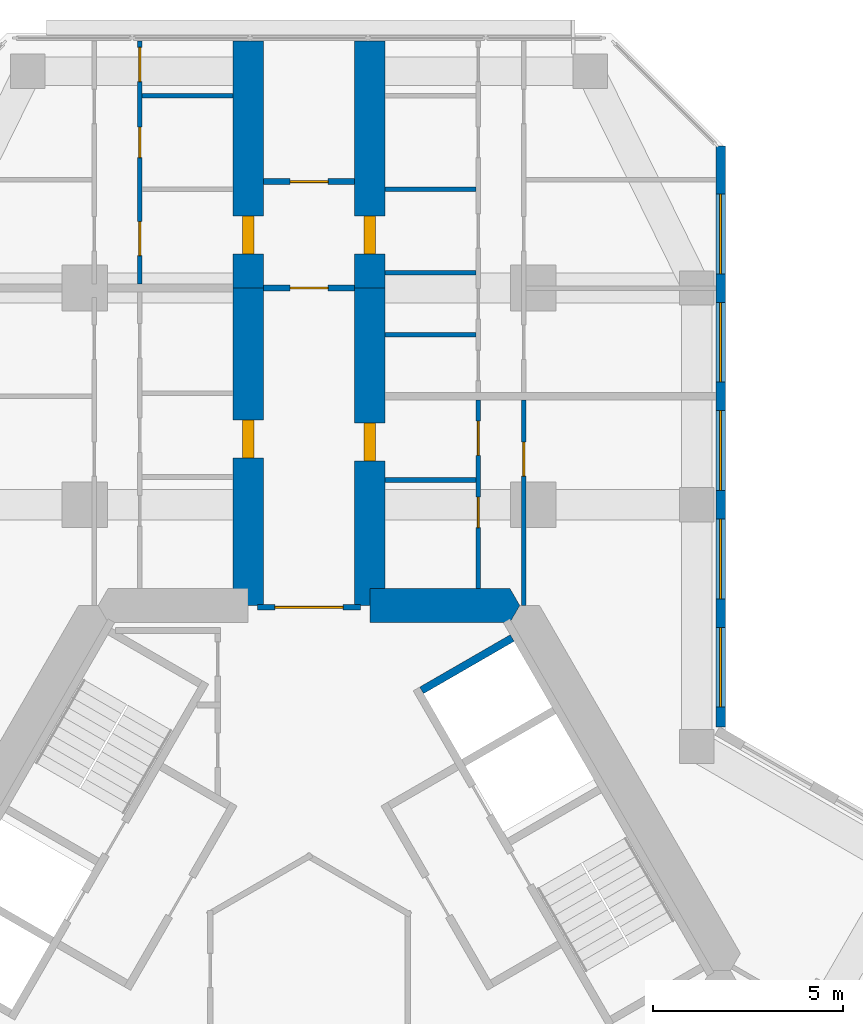
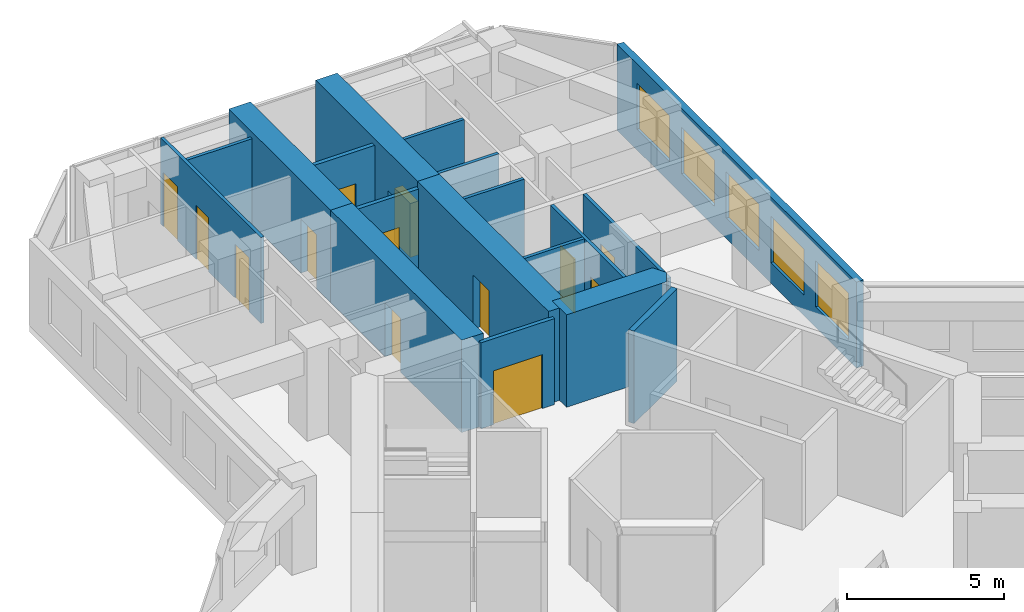
# One storey, part 17 of 19: 18 walls, 13 doors, 5 windows, 18 openings.
"""IFC4 building model written with IfcOpenShell, lengths in metres."""

import ifcopenshell
import ifcopenshell.guid

model = None  # the IFC model being written
_history = None  # IfcOwnerHistory: only IFC2X3 demands one
_inside = {}  # id of a spatial element -> (the spatial element, [elements in it])
_under = {}  # id of a project, library or spatial element -> (it, [spatial elements below it])
_declared = {}  # id of a project -> (the project, [libraries it declares])
_typed = {}  # id of a type object -> (the type object, [elements of that type])
_made_of = {}  # id of a material, layer set ... -> (it, [elements and type objects made of it])


def new_model(schema):
    """Start an empty IFC model of exactly this schema.

    Asked for "IFC4X3", IfcOpenShell would pick the latest addendum, in which some entities
    have other attributes; the version numbers below select the first issue.
    IFC2X3 requires an IfcOwnerHistory on every rooted entity: one is made here for all.
    """
    global model, _history
    if schema == "IFC4X3":
        model = ifcopenshell.file(schema_version=(4, 3, 0, 0))
    else:
        model = ifcopenshell.file(schema=schema)
    _inside.clear()
    _under.clear()
    _declared.clear()
    _typed.clear()
    _made_of.clear()
    _history = None
    if model.schema == "IFC2X3":
        org = make("IfcOrganization", Name="unknown")
        user = make(
            "IfcPersonAndOrganization",
            ThePerson=make("IfcPerson", FamilyName="unknown"),
            TheOrganization=org,
        )
        app = make(
            "IfcApplication",
            ApplicationDeveloper=org,
            Version="unknown",
            ApplicationFullName="unknown",
            ApplicationIdentifier="unknown",
        )
        _history = make(
            "IfcOwnerHistory",
            OwningUser=user,
            OwningApplication=app,
            ChangeAction="ADDED",
            CreationDate=0,
        )
    return model


def make(cls, **values):
    """One entity of the class cls with the attributes given. An attribute that is None is left unset."""
    return model.create_entity(
        cls, **{name: value for name, value in values.items() if value is not None}
    )


def rooted(cls, **values):
    """An entity with a GlobalId (a new one), such as an element, a storey or a relation."""
    return make(cls, GlobalId=ifcopenshell.guid.new(), OwnerHistory=_history, **values)


def si_unit(unit_type, name, prefix=None):
    """IfcSIUnit, for example si_unit("LENGTHUNIT", "METRE", prefix="MILLI")."""
    return make("IfcSIUnit", UnitType=unit_type, Prefix=prefix, Name=name)


def assignment(units):
    """IfcUnitAssignment: the units of a project."""
    return None if units is None else make("IfcUnitAssignment", Units=units)


def point(xyz):
    """IfcCartesianPoint."""
    return None if xyz is None else make("IfcCartesianPoint", Coordinates=xyz)


def direction(xyz):
    """IfcDirection."""
    return None if xyz is None else make("IfcDirection", DirectionRatios=xyz)


def frame(location, z_axis=None, x_axis=None):
    """IfcAxis2Placement3D, a coordinate frame: its origin and axes. An axis left out is left unset."""
    return make(
        "IfcAxis2Placement3D",
        Location=point(location),
        Axis=direction(z_axis),
        RefDirection=direction(x_axis),
    )


def frame_2d(location, x_axis=None):
    """IfcAxis2Placement2D, a coordinate frame in the plane: its origin and x axis."""
    return make(
        "IfcAxis2Placement2D", Location=point(location), RefDirection=direction(x_axis)
    )


def origin():
    """The frame at (0, 0, 0) with its axes left unset."""
    return frame((0.0, 0.0, 0.0))


def place(relative_to, where):
    """IfcLocalPlacement: puts the frame where relative to a parent placement (None: the world)."""
    return make(
        "IfcLocalPlacement", PlacementRelTo=relative_to, RelativePlacement=where
    )


def context(
    kind, dimensions, precision=None, world=None, true_north=None, identifier=None
):
    """IfcGeometricRepresentationContext, for example the 3D "Model" context."""
    return make(
        "IfcGeometricRepresentationContext",
        ContextIdentifier=identifier,
        ContextType=kind,
        CoordinateSpaceDimension=dimensions,
        Precision=precision,
        WorldCoordinateSystem=world,
        TrueNorth=true_north,
    )


def subcontext(parent, identifier, kind, view, scale=None):
    """IfcGeometricRepresentationSubContext, for example "Body" below "Model"."""
    return make(
        "IfcGeometricRepresentationSubContext",
        ContextIdentifier=identifier,
        ContextType=kind,
        ParentContext=parent,
        TargetScale=scale,
        TargetView=view,
    )


def project(units=None, contexts=None):
    """IfcProject with its units and contexts."""
    return rooted(
        "IfcProject",
        Name="project",
        RepresentationContexts=contexts,
        UnitsInContext=assignment(units),
    )


def spatial(cls, under=None, at=None, **own):
    """A site, building, storey or space (cls), placed at a placement, below another one or the project."""
    s = rooted(cls, ObjectPlacement=at, **own)
    if under is not None:
        _under.setdefault(under.id(), (under, []))[1].append(s)
    return s


def polyline(points):
    """IfcPolyline through the points."""
    return make("IfcPolyline", Points=[point(p) for p in points])


def profile(cls, at=None, kind="AREA", **sizes):
    """A parametric profile (cls). Its sizes go by their IFC names, for example OverallWidth=200.0."""
    return make(cls, ProfileType=kind, Position=at, **sizes)


def rectangle(**sizes):
    """IfcRectangleProfileDef."""
    return profile("IfcRectangleProfileDef", **sizes)


def outline(outer, holes=None, kind="AREA"):
    """IfcArbitraryClosedProfileDef: a profile drawn as a closed curve; with holes, ...WithVoids."""
    if holes is None:
        return make("IfcArbitraryClosedProfileDef", ProfileType=kind, OuterCurve=outer)
    return make(
        "IfcArbitraryProfileDefWithVoids",
        ProfileType=kind,
        OuterCurve=outer,
        InnerCurves=holes,
    )


def extrude(swept, where, along, depth):
    """IfcExtrudedAreaSolid: the profile swept, set in the frame where, extruded along a direction by depth."""
    return make(
        "IfcExtrudedAreaSolid",
        SweptArea=swept,
        Position=where,
        ExtrudedDirection=direction(along),
        Depth=depth,
    )


def shape(context_of_items, identifier, shape_type, items):
    """IfcShapeRepresentation: the items that make up one representation, for example the "Body"."""
    return make(
        "IfcShapeRepresentation",
        ContextOfItems=context_of_items,
        RepresentationIdentifier=identifier,
        RepresentationType=shape_type,
        Items=items,
    )


def material(Name=None, Category=None):
    """IfcMaterial."""
    return make("IfcMaterial", Name=Name, Category=Category)


def layer(
    of_material, thickness, ventilated=None, Name=None, Category=None, Priority=None
):
    """IfcMaterialLayer: one layer of a wall or slab, of a material (None: an air gap)."""
    return make(
        "IfcMaterialLayer",
        Material=of_material,
        LayerThickness=thickness,
        IsVentilated=ventilated,
        Name=Name,
        Category=Category,
        Priority=Priority,
    )


def layer_set(layers, Name=None):
    """IfcMaterialLayerSet."""
    return make("IfcMaterialLayerSet", MaterialLayers=layers, LayerSetName=Name)


def made_of(thing, what):
    """Note that an element or type object is made of a material, layer set ...; save() writes the relation."""
    if what is not None:
        _made_of.setdefault(what.id(), (what, []))[1].append(thing)
    return thing


def type_object(cls, material=None, **own):
    """A type object (cls), such as IfcWallType, which elements share."""
    return made_of(rooted(cls, **own), material)


def element(
    cls,
    number,
    at=None,
    inside=None,
    cuts=None,
    type_object=None,
    material=None,
    context=None,
    identifier="Body",
    shape_type=None,
    held_by="IfcProductDefinitionShape",
    body=None,
    shapes=None,
    **own,
):
    """One element of the class cls, such as IfcWall. Its Tag is "e" and its number.

    at: its placement. inside: the storey or other place that contains it. cuts: it is an
    opening in that element (IfcRelVoidsElement). A single representation is given by context,
    identifier, shape_type and body (its items); several are given by shapes. held_by: the class
    of the entity that holds the representations. save() writes the other relations.
    """
    e = rooted(cls, Tag="e%d" % number, ObjectPlacement=at, **own)
    if body is not None:
        shapes = [shape(context, identifier, shape_type, body)]
    if shapes is not None:
        e.Representation = make(held_by, Representations=shapes)
    if inside is not None:
        _inside.setdefault(inside.id(), (inside, []))[1].append(e)
    if cuts is not None:
        rooted(
            "IfcRelVoidsElement", RelatingBuildingElement=cuts, RelatedOpeningElement=e
        )
    if type_object is not None:
        _typed.setdefault(type_object.id(), (type_object, []))[1].append(e)
    return made_of(e, material)


def fill(opening, filler):
    """IfcRelFillsElement: the door or window that sits in an opening."""
    return rooted(
        "IfcRelFillsElement",
        RelatingOpeningElement=opening,
        RelatedBuildingElement=filler,
    )


def aggregate(whole, parts):
    """IfcRelAggregates: a whole, such as a stair, and the parts it consists of."""
    return rooted("IfcRelAggregates", RelatingObject=whole, RelatedObjects=parts)


def save(model, path):
    """Write the relations noted so far, then the file.

    IfcRelAggregates (storeys below a building ...), IfcRelContainedInSpatialStructure (elements
    in a storey), IfcRelDefinesByType, IfcRelAssociatesMaterial and IfcRelDeclares: one each for
    every whole, place, type object, material and project.
    """
    for whole, parts in _under.values():
        aggregate(whole, parts)
    for where, things in _inside.values():
        rooted(
            "IfcRelContainedInSpatialStructure",
            RelatedElements=things,
            RelatingStructure=where,
        )
    for kind, things in _typed.values():
        rooted("IfcRelDefinesByType", RelatedObjects=things, RelatingType=kind)
    for what, things in _made_of.values():
        rooted("IfcRelAssociatesMaterial", RelatedObjects=things, RelatingMaterial=what)
    for by, libraries in _declared.values():
        rooted("IfcRelDeclares", RelatingContext=by, RelatedDefinitions=libraries)
    model.write(path)


model = new_model("IFC4")

# Units and contexts
model_context = context("Model", 3, precision=1e-05, world=origin(), true_north=direction((0.0, 1.0)))
body_context = subcontext(model_context, "Body", "Model", "MODEL_VIEW")
ifc_project = project(units=[si_unit("LENGTHUNIT", "METRE"), si_unit("AREAUNIT", "SQUARE_METRE"), si_unit("VOLUMEUNIT", "CUBIC_METRE"), si_unit("PLANEANGLEUNIT", "RADIAN"), si_unit("MASSUNIT", "GRAM", prefix="KILO")], contexts=[model_context])

# Site, building, storey
site_placement = place(None, origin())
site = spatial("IfcSite", under=ifc_project, at=site_placement, CompositionType="ELEMENT")
building_placement = place(site_placement, origin())
building = spatial("IfcBuilding", under=site, at=building_placement, Name="Kosmar Iwan School Tower", CompositionType="ELEMENT")
storey_placement = place(building_placement, frame((0.0, 0.0, 149.0)))
storey = spatial("IfcBuildingStorey", under=building, at=storey_placement, Name="L37", CompositionType="ELEMENT", Elevation=149.0)

# Wall
ifc_material_1 = material(Name="Concrete C50/60", Category="concrete")
ifc_layer_1 = layer(ifc_material_1, 0.89990234375)
ifc_layer_set_1 = layer_set([ifc_layer_1], Name="Core wall 900")
wall_type_1 = type_object("IfcWallType", Name="Core wall 900", PredefinedType="SHEAR", material=ifc_layer_set_1)
wall_1_placement = place(storey_placement, origin())
element("IfcWall", 1, at=wall_1_placement, inside=storey, type_object=wall_type_1, Name="Core wall F090a", PredefinedType="SHEAR", context=body_context, shape_type="SweptSolid", body=[
    extrude(outline(polyline([(1.60009765625, 9.14990234375), (5.28271484375, 9.14990234375), (5.54248046875, 9.60009765625), (5.28271484375, 10.050048828125), (1.60009765625, 10.050048828125), (1.60009765625, 9.14990234375)])), origin(), (0.0, 0.0, 1.0), 3.60009765625),
])

# Wall, opening, door
ifc_material_2 = material(Name="Concrete C50/60", Category="concrete")
ifc_layer_2 = layer(ifc_material_2, 0.800048828125)
ifc_layer_set_2 = layer_set([ifc_layer_2], Name="Corridor buttress wall 800")
wall_type_2 = type_object("IfcWallType", Name="Corridor buttress wall 800", PredefinedType="SHEAR", material=ifc_layer_set_2)
wall_2_placement = place(storey_placement, frame((-1.60009765625, 9.60009765625, 0.0), z_axis=(0.0, 0.0, 1.0), x_axis=(0.0, 1.0, 0.0)))
wall_2 = element("IfcWall", 2, at=wall_2_placement, inside=storey, type_object=wall_type_2, Name="Corridor wall AL", PredefinedType="SHEAR", context=body_context, shape_type="SweptSolid", body=[
    extrude(rectangle(XDim=8.349853515625, YDim=0.800048828125, at=frame_2d((4.1748046875, 0.0))), origin(), (0.0, 0.0, 1.0), 3.60009765625),
])
opening_1_placement = place(wall_2_placement, frame((3.8798828125, 0.0, 0.0)))
opening_1 = element("IfcOpeningElement", 3, at=opening_1_placement, cuts=wall_2, Name="Opening D1", PredefinedType="OPENING", context=body_context, shape_type="SweptSolid", body=[
    extrude(rectangle(XDim=1.0, YDim=2.10009765625, at=frame_2d((0.5, 1.050048828125))), frame((0.0, 0.412109375, 0.0), z_axis=(0.0, -1.0, 0.0), x_axis=(1.0, 0.0, 0.0)), (0.0, 0.0, 1.0), 0.823974609375),
])
ifc_material_3 = material(Name="Timber fire door in steel frame", Category="steel")
door_type_1 = type_object("IfcDoorType", Name="Flat entrance door 1000x2100", OperationType="SINGLE_SWING_LEFT", PredefinedType="DOOR", material=ifc_material_3)
door_1_placement = place(opening_1_placement, origin())
door_1 = element("IfcDoor", 4, at=door_1_placement, inside=storey, type_object=door_type_1, Name="Flat L37-AL1 entrance door", OperationType="SINGLE_SWING_LEFT", OverallHeight=2.10009765625, OverallWidth=1.0, PredefinedType="DOOR", context=body_context, shape_type="SweptSolid", body=[
    extrude(rectangle(XDim=1.0, YDim=2.10009765625, at=frame_2d((0.5, 1.050048828125))), frame((0.0, 0.14990234375, 0.0), z_axis=(0.0, -1.0, 0.0), x_axis=(1.0, 0.0, 0.0)), (0.0, 0.0, 1.0), 0.300048828125),
])
fill(opening_1, door_1)

wall_3_placement = place(storey_placement, frame((-1.60009765625, 17.949951171875, 0.0), z_axis=(0.0, 0.0, 1.0), x_axis=(0.0, 1.0, 0.0)))
wall_3 = element("IfcWall", 5, at=wall_3_placement, inside=storey, type_object=wall_type_2, Name="Corridor wall AL bay 2", PredefinedType="SHEAR", context=body_context, shape_type="SweptSolid", body=[
    extrude(rectangle(XDim=6.4951171875, YDim=0.800048828125, at=frame_2d((3.24755859375, 0.0))), origin(), (0.0, 0.0, 1.0), 3.60009765625),
])
opening_2_placement = place(wall_3_placement, frame((0.89990234375, 0.0, 0.0)))
opening_2 = element("IfcOpeningElement", 6, at=opening_2_placement, cuts=wall_3, Name="Opening D1", PredefinedType="OPENING", context=body_context, shape_type="SweptSolid", body=[
    extrude(rectangle(XDim=1.0, YDim=2.10009765625, at=frame_2d((0.5, 1.050048828125))), frame((0.0, 0.412109375, 0.0), z_axis=(0.0, -1.0, 0.0), x_axis=(1.0, 0.0, 0.0)), (0.0, 0.0, 1.0), 0.823974609375),
])
door_2_placement = place(opening_2_placement, origin())
door_2 = element("IfcDoor", 7, at=door_2_placement, inside=storey, type_object=door_type_1, Name="Flat L37-AL2 entrance door", OperationType="SINGLE_SWING_RIGHT", OverallHeight=2.10009765625, OverallWidth=1.0, PredefinedType="DOOR", context=body_context, shape_type="SweptSolid", body=[
    extrude(rectangle(XDim=1.0, YDim=2.10009765625, at=frame_2d((0.5, 1.050048828125))), frame((0.0, 0.14990234375, 0.0), z_axis=(0.0, -1.0, 0.0), x_axis=(1.0, 0.0, 0.0)), (0.0, 0.0, 1.0), 0.300048828125),
])
fill(opening_2, door_2)

wall_4_placement = place(storey_placement, frame((1.60009765625, 9.60009765625, 0.0), z_axis=(0.0, 0.0, 1.0), x_axis=(0.0, 1.0, 0.0)))
wall_4 = element("IfcWall", 8, at=wall_4_placement, inside=storey, type_object=wall_type_2, Name="Corridor wall AR", PredefinedType="SHEAR", context=body_context, shape_type="SweptSolid", body=[
    extrude(rectangle(XDim=8.349853515625, YDim=0.800048828125, at=frame_2d((4.1748046875, 0.0))), origin(), (0.0, 0.0, 1.0), 3.60009765625),
])
opening_3_placement = place(wall_4_placement, frame((3.800048828125, 0.0, 0.0)))
opening_3 = element("IfcOpeningElement", 9, at=opening_3_placement, cuts=wall_4, Name="Opening D1", PredefinedType="OPENING", context=body_context, shape_type="SweptSolid", body=[
    extrude(rectangle(XDim=1.0, YDim=2.10009765625, at=frame_2d((0.5, 1.050048828125))), frame((0.0, 0.412109375, 0.0), z_axis=(0.0, -1.0, 0.0), x_axis=(1.0, 0.0, 0.0)), (0.0, 0.0, 1.0), 0.823974609375),
])
door_3_placement = place(opening_3_placement, origin())
door_3 = element("IfcDoor", 10, at=door_3_placement, inside=storey, type_object=door_type_1, Name="Flat L37-AR1 entrance door", OperationType="SINGLE_SWING_RIGHT", OverallHeight=2.10009765625, OverallWidth=1.0, PredefinedType="DOOR", context=body_context, shape_type="SweptSolid", body=[
    extrude(rectangle(XDim=1.0, YDim=2.10009765625, at=frame_2d((0.5, 1.050048828125))), frame((0.0, 0.14990234375, 0.0), z_axis=(0.0, -1.0, 0.0), x_axis=(1.0, 0.0, 0.0)), (0.0, 0.0, 1.0), 0.300048828125),
])
fill(opening_3, door_3)

wall_5_placement = place(storey_placement, frame((1.60009765625, 17.949951171875, 0.0), z_axis=(0.0, 0.0, 1.0), x_axis=(0.0, 1.0, 0.0)))
wall_5 = element("IfcWall", 11, at=wall_5_placement, inside=storey, type_object=wall_type_2, Name="Corridor wall AR bay 2", PredefinedType="SHEAR", context=body_context, shape_type="SweptSolid", body=[
    extrude(rectangle(XDim=6.4951171875, YDim=0.800048828125, at=frame_2d((3.24755859375, 0.0))), origin(), (0.0, 0.0, 1.0), 3.60009765625),
])
opening_4_placement = place(wall_5_placement, frame((0.89990234375, 0.0, 0.0)))
opening_4 = element("IfcOpeningElement", 12, at=opening_4_placement, cuts=wall_5, Name="Opening D1", PredefinedType="OPENING", context=body_context, shape_type="SweptSolid", body=[
    extrude(rectangle(XDim=1.0, YDim=2.10009765625, at=frame_2d((0.5, 1.050048828125))), frame((0.0, 0.412109375, 0.0), z_axis=(0.0, -1.0, 0.0), x_axis=(1.0, 0.0, 0.0)), (0.0, 0.0, 1.0), 0.823974609375),
])
door_4_placement = place(opening_4_placement, origin())
door_4 = element("IfcDoor", 13, at=door_4_placement, inside=storey, type_object=door_type_1, Name="Flat L37-AR2 entrance door", OperationType="SINGLE_SWING_LEFT", OverallHeight=2.10009765625, OverallWidth=1.0, PredefinedType="DOOR", context=body_context, shape_type="SweptSolid", body=[
    extrude(rectangle(XDim=1.0, YDim=2.10009765625, at=frame_2d((0.5, 1.050048828125))), frame((0.0, 0.14990234375, 0.0), z_axis=(0.0, -1.0, 0.0), x_axis=(1.0, 0.0, 0.0)), (0.0, 0.0, 1.0), 0.300048828125),
])
fill(opening_4, door_4)

ifc_material_4 = material(Name="Gypsum board on steel studs, fire-rated", Category="steel")
ifc_layer_3 = layer(ifc_material_4, 0.14990234375)
ifc_layer_set_3 = layer_set([ifc_layer_3], Name="Corridor end wall 150")
wall_type_3 = type_object("IfcWallType", Name="Corridor end wall 150", PredefinedType="PARTITIONING", material=ifc_layer_set_3)
wall_6_placement = place(storey_placement, frame((1.199951171875, 20.75, 0.0), z_axis=(0.0, 0.0, 1.0), x_axis=(-1.0, 0.0, 0.0)))
wall_6 = element("IfcWall", 14, at=wall_6_placement, inside=storey, type_object=wall_type_3, Name="Partition L37-A-CE", PredefinedType="PARTITIONING", context=body_context, shape_type="SweptSolid", body=[
    extrude(rectangle(XDim=2.39990234375, YDim=0.14990234375, at=frame_2d((1.199951171875, 0.0))), origin(), (0.0, 0.0, 1.0), 3.35009765625),
])
opening_5_placement = place(wall_6_placement, frame((0.699951171875, 0.0, 0.0)))
opening_5 = element("IfcOpeningElement", 15, at=opening_5_placement, cuts=wall_6, Name="Opening D13", PredefinedType="OPENING", context=body_context, shape_type="SweptSolid", body=[
    extrude(rectangle(XDim=1.0, YDim=2.10009765625, at=frame_2d((0.5, 1.050048828125))), frame((0.0, 0.0869140625, 0.0), z_axis=(0.0, -1.0, 0.0), x_axis=(1.0, 0.0, 0.0)), (0.0, 0.0, 1.0), 0.173828125),
])
ifc_material_5 = material(Name="Timber fire door with vision panel", Category="wood")
door_type_2 = type_object("IfcDoorType", Name="Corridor end door 1000x2100", OperationType="SINGLE_SWING_LEFT", PredefinedType="DOOR", material=ifc_material_5)
door_5_placement = place(opening_5_placement, origin())
door_5 = element("IfcDoor", 16, at=door_5_placement, inside=storey, type_object=door_type_2, Name="Prayer room door L37-A", OperationType="SINGLE_SWING_RIGHT", OverallHeight=2.10009765625, OverallWidth=1.0, PredefinedType="DOOR", context=body_context, shape_type="SweptSolid", body=[
    extrude(rectangle(XDim=1.0, YDim=2.10009765625, at=frame_2d((0.5, 1.050048828125))), frame((0.0, 0.02490234375, 0.0), z_axis=(0.0, -1.0, 0.0), x_axis=(1.0, 0.0, 0.0)), (0.0, 0.0, 1.0), 0.050048828125),
])
fill(opening_5, door_5)

wall_7_placement = place(storey_placement, frame((1.199951171875, 17.949951171875, 0.0), z_axis=(0.0, 0.0, 1.0), x_axis=(-1.0, 0.0, 0.0)))
wall_7 = element("IfcWall", 17, at=wall_7_placement, inside=storey, type_object=wall_type_3, Name="Partition L37-A-HW", PredefinedType="PARTITIONING", context=body_context, shape_type="SweptSolid", body=[
    extrude(rectangle(XDim=2.39990234375, YDim=0.14990234375, at=frame_2d((1.199951171875, 0.0))), origin(), (0.0, 0.0, 1.0), 3.35009765625),
])
opening_6_placement = place(wall_7_placement, frame((0.699951171875, 0.0, 0.0)))
opening_6 = element("IfcOpeningElement", 18, at=opening_6_placement, cuts=wall_7, Name="Opening D13", PredefinedType="OPENING", context=body_context, shape_type="SweptSolid", body=[
    extrude(rectangle(XDim=1.0, YDim=2.10009765625, at=frame_2d((0.5, 1.050048828125))), frame((0.0, 0.0869140625, 0.0), z_axis=(0.0, -1.0, 0.0), x_axis=(1.0, 0.0, 0.0)), (0.0, 0.0, 1.0), 0.173828125),
])
door_6_placement = place(opening_6_placement, origin())
door_6 = element("IfcDoor", 19, at=door_6_placement, inside=storey, type_object=door_type_2, Name="Hashti door L37-A", OperationType="SINGLE_SWING_LEFT", OverallHeight=2.10009765625, OverallWidth=1.0, PredefinedType="DOOR", context=body_context, shape_type="SweptSolid", body=[
    extrude(rectangle(XDim=1.0, YDim=2.10009765625, at=frame_2d((0.5, 1.050048828125))), frame((0.0, 0.02490234375, 0.0), z_axis=(0.0, -1.0, 0.0), x_axis=(1.0, 0.0, 0.0)), (0.0, 0.0, 1.0), 0.050048828125),
])
fill(opening_6, door_6)

ifc_material_6 = material(Name="Steel framed glazed screen", Category="steel")
ifc_layer_4 = layer(ifc_material_6, 0.14990234375)
ifc_layer_set_4 = layer_set([ifc_layer_4], Name="Corridor screen wall 150")
wall_type_4 = type_object("IfcWallType", Name="Corridor screen wall 150", PredefinedType="PARTITIONING", material=ifc_layer_set_4)
wall_8_placement = place(storey_placement, frame((1.35009765625, 9.550048828125, 0.0), z_axis=(0.0, 0.0, 1.0), x_axis=(-1.0, 0.0, 0.0)))
wall_8 = element("IfcWall", 20, at=wall_8_placement, inside=storey, type_object=wall_type_4, Name="Corridor screen A L37", PredefinedType="PARTITIONING", context=body_context, shape_type="SweptSolid", body=[
    extrude(rectangle(XDim=2.7001953125, YDim=0.14990234375, at=frame_2d((1.35009765625, 0.0))), origin(), (0.0, 0.0, 1.0), 3.35009765625),
])
opening_7_placement = place(wall_8_placement, frame((0.449951171875, 0.0, 0.0)))
opening_7 = element("IfcOpeningElement", 21, at=opening_7_placement, cuts=wall_8, Name="Opening D9", PredefinedType="OPENING", context=body_context, shape_type="SweptSolid", body=[
    extrude(rectangle(XDim=1.800048828125, YDim=2.10009765625, at=frame_2d((0.89990234375, 1.050048828125))), frame((0.0, 0.0869140625, 0.0), z_axis=(0.0, -1.0, 0.0), x_axis=(1.0, 0.0, 0.0)), (0.0, 0.0, 1.0), 0.173828125),
])
ifc_material_7 = material(Name="Steel framed glazed smoke door", Category="steel")
door_type_3 = type_object("IfcDoorType", Name="Corridor smoke door pair 1800x2100", OperationType="DOUBLE_DOOR_DOUBLE_SWING", PredefinedType="DOOR", material=ifc_material_7)
door_7_placement = place(opening_7_placement, origin())
door_7 = element("IfcDoor", 22, at=door_7_placement, inside=storey, type_object=door_type_3, Name="Corridor doors A L37", OperationType="DOUBLE_DOOR_DOUBLE_SWING", OverallHeight=2.10009765625, OverallWidth=1.800048828125, PredefinedType="DOOR", context=body_context, shape_type="SweptSolid", body=[
    extrude(rectangle(XDim=1.800048828125, YDim=2.10009765625, at=frame_2d((0.89990234375, 1.050048828125))), frame((0.0, 0.02490234375, 0.0), z_axis=(0.0, -1.0, 0.0), x_axis=(1.0, 0.0, 0.0)), (0.0, 0.0, 1.0), 0.050048828125),
])
fill(opening_7, door_7)

# Wall, openings, doors
ifc_material_8 = material(Name="Gypsum board on steel studs", Category="steel")
ifc_layer_5 = layer(ifc_material_8, 0.1201171875)
ifc_layer_set_5 = layer_set([ifc_layer_5], Name="Dwelling partition 120")
wall_type_5 = type_object("IfcWallType", Name="Dwelling partition 120", PredefinedType="PARTITIONING", material=ifc_layer_set_5)
wall_9_placement = place(storey_placement, frame((-4.449951171875, 18.050048828125, 0.0), z_axis=(0.0, 0.0, 1.0), x_axis=(0.0, 1.0, 0.0)))
wall_9 = element("IfcWall", 23, at=wall_9_placement, inside=storey, type_object=wall_type_5, Name="Partition L37-AL2-W1", PredefinedType="PARTITIONING", context=body_context, shape_type="SweptSolid", body=[
    extrude(rectangle(XDim=6.39501953125, YDim=0.1201171875, at=frame_2d((3.197509765625, 0.0))), origin(), (0.0, 0.0, 1.0), 3.35009765625),
])
opening_8_placement = place(wall_9_placement, frame((0.75, 0.0, 0.0)))
opening_8 = element("IfcOpeningElement", 24, at=opening_8_placement, cuts=wall_9, Name="Opening D2", PredefinedType="OPENING", context=body_context, shape_type="SweptSolid", body=[
    extrude(rectangle(XDim=0.89990234375, YDim=2.10009765625, at=frame_2d((0.449951171875, 1.050048828125))), frame((0.0, 0.072021484375, 0.0), z_axis=(0.0, -1.0, 0.0), x_axis=(1.0, 0.0, 0.0)), (0.0, 0.0, 1.0), 0.14404296875),
])
opening_9_placement = place(wall_9_placement, frame((3.330078125, 0.0, 0.0)))
opening_9 = element("IfcOpeningElement", 25, at=opening_9_placement, cuts=wall_9, Name="Opening D3", PredefinedType="OPENING", context=body_context, shape_type="SweptSolid", body=[
    extrude(rectangle(XDim=0.800048828125, YDim=2.10009765625, at=frame_2d((0.39990234375, 1.050048828125))), frame((0.0, 0.072021484375, 0.0), z_axis=(0.0, -1.0, 0.0), x_axis=(1.0, 0.0, 0.0)), (0.0, 0.0, 1.0), 0.14404296875),
])
opening_10_placement = place(wall_9_placement, frame((5.330078125, 0.0, 0.0)))
opening_10 = element("IfcOpeningElement", 26, at=opening_10_placement, cuts=wall_9, Name="Opening D2", PredefinedType="OPENING", context=body_context, shape_type="SweptSolid", body=[
    extrude(rectangle(XDim=0.89990234375, YDim=2.10009765625, at=frame_2d((0.449951171875, 1.050048828125))), frame((0.0, 0.072021484375, 0.0), z_axis=(0.0, -1.0, 0.0), x_axis=(1.0, 0.0, 0.0)), (0.0, 0.0, 1.0), 0.14404296875),
])
ifc_material_9 = material(Name="Timber door in timber frame", Category="wood")
door_type_4 = type_object("IfcDoorType", Name="Internal door 900x2100", OperationType="SINGLE_SWING_LEFT", PredefinedType="DOOR", material=ifc_material_9)
door_8_placement = place(opening_8_placement, origin())
door_8 = element("IfcDoor", 27, at=door_8_placement, inside=storey, type_object=door_type_4, Name="Entrance hall door L37-AL2-S1", OperationType="SINGLE_SWING_LEFT", OverallHeight=2.10009765625, OverallWidth=0.89990234375, PredefinedType="DOOR", context=body_context, shape_type="SweptSolid", body=[
    extrude(rectangle(XDim=0.89990234375, YDim=2.10009765625, at=frame_2d((0.449951171875, 1.050048828125))), frame((0.0, 0.02490234375, 0.0), z_axis=(0.0, -1.0, 0.0), x_axis=(1.0, 0.0, 0.0)), (0.0, 0.0, 1.0), 0.050048828125),
])
fill(opening_8, door_8)
door_9_placement = place(opening_10_placement, origin())
door_9 = element("IfcDoor", 28, at=door_9_placement, inside=storey, type_object=door_type_4, Name="Pantry door L37-AL2-S3", OperationType="SINGLE_SWING_RIGHT", OverallHeight=2.10009765625, OverallWidth=0.89990234375, PredefinedType="DOOR", context=body_context, shape_type="SweptSolid", body=[
    extrude(rectangle(XDim=0.89990234375, YDim=2.10009765625, at=frame_2d((0.449951171875, 1.050048828125))), frame((0.0, 0.02490234375, 0.0), z_axis=(0.0, -1.0, 0.0), x_axis=(1.0, 0.0, 0.0)), (0.0, 0.0, 1.0), 0.050048828125),
])
fill(opening_10, door_9)
ifc_material_10 = material(Name="Timber door in timber frame", Category="wood")
door_type_5 = type_object("IfcDoorType", Name="Sanitary room door 800x2100", OperationType="SINGLE_SWING_LEFT", PredefinedType="DOOR", material=ifc_material_10)
door_10_placement = place(opening_9_placement, origin())
door_10 = element("IfcDoor", 29, at=door_10_placement, inside=storey, type_object=door_type_5, Name="Bathroom door L37-AL2-S2", OperationType="SINGLE_SWING_RIGHT", OverallHeight=2.10009765625, OverallWidth=0.800048828125, PredefinedType="DOOR", context=body_context, shape_type="SweptSolid", body=[
    extrude(rectangle(XDim=0.800048828125, YDim=2.10009765625, at=frame_2d((0.39990234375, 1.050048828125))), frame((0.0, 0.02490234375, 0.0), z_axis=(0.0, -1.0, 0.0), x_axis=(1.0, 0.0, 0.0)), (0.0, 0.0, 1.0), 0.050048828125),
])
fill(opening_9, door_10)

# Wall
wall_10_placement = place(storey_placement, frame((-2.0, 23.010009765625, 0.0), z_axis=(0.0, 0.0, 1.0), x_axis=(-1.0, 0.0, 0.0)))
element("IfcWall", 30, at=wall_10_placement, inside=storey, type_object=wall_type_5, Name="Partition L37-AL2-Y2", PredefinedType="PARTITIONING", context=body_context, shape_type="SweptSolid", body=[
    extrude(rectangle(XDim=2.389892578125, YDim=0.1201171875, at=frame_2d((1.19482421875, 0.0))), origin(), (0.0, 0.0, 1.0), 3.35009765625),
])

# Wall, openings, doors
wall_11_placement = place(storey_placement, frame((4.449951171875, 10.050048828125, 0.0), z_axis=(0.0, 0.0, 1.0), x_axis=(0.0, 1.0, 0.0)))
wall_11 = element("IfcWall", 31, at=wall_11_placement, inside=storey, type_object=wall_type_5, Name="Partition L37-AR1-W1", PredefinedType="PARTITIONING", context=body_context, shape_type="SweptSolid", body=[
    extrude(rectangle(XDim=4.949951171875, YDim=0.1201171875, at=frame_2d((2.47509765625, 0.0))), origin(), (0.0, 0.0, 1.0), 3.35009765625),
])
opening_11_placement = place(wall_11_placement, frame((1.60009765625, 0.0, 0.0)))
opening_11 = element("IfcOpeningElement", 32, at=opening_11_placement, cuts=wall_11, Name="Opening D3", PredefinedType="OPENING", context=body_context, shape_type="SweptSolid", body=[
    extrude(rectangle(XDim=0.800048828125, YDim=2.10009765625, at=frame_2d((0.39990234375, 1.050048828125))), frame((0.0, 0.072021484375, 0.0), z_axis=(0.0, -1.0, 0.0), x_axis=(1.0, 0.0, 0.0)), (0.0, 0.0, 1.0), 0.14404296875),
])
opening_12_placement = place(wall_11_placement, frame((3.5, 0.0, 0.0)))
opening_12 = element("IfcOpeningElement", 33, at=opening_12_placement, cuts=wall_11, Name="Opening D2", PredefinedType="OPENING", context=body_context, shape_type="SweptSolid", body=[
    extrude(rectangle(XDim=0.89990234375, YDim=2.10009765625, at=frame_2d((0.449951171875, 1.050048828125))), frame((0.0, 0.072021484375, 0.0), z_axis=(0.0, -1.0, 0.0), x_axis=(1.0, 0.0, 0.0)), (0.0, 0.0, 1.0), 0.14404296875),
])
door_11_placement = place(opening_12_placement, origin())
door_11 = element("IfcDoor", 34, at=door_11_placement, inside=storey, type_object=door_type_4, Name="Entrance hall door L37-AR1-S2", OperationType="SINGLE_SWING_RIGHT", OverallHeight=2.10009765625, OverallWidth=0.89990234375, PredefinedType="DOOR", context=body_context, shape_type="SweptSolid", body=[
    extrude(rectangle(XDim=0.89990234375, YDim=2.10009765625, at=frame_2d((0.449951171875, 1.050048828125))), frame((0.0, 0.02490234375, 0.0), z_axis=(0.0, -1.0, 0.0), x_axis=(1.0, 0.0, 0.0)), (0.0, 0.0, 1.0), 0.050048828125),
])
fill(opening_12, door_11)
door_12_placement = place(opening_11_placement, origin())
door_12 = element("IfcDoor", 35, at=door_12_placement, inside=storey, type_object=door_type_5, Name="Bathroom door L37-AR1-S1", OperationType="SINGLE_SWING_RIGHT", OverallHeight=2.10009765625, OverallWidth=0.800048828125, PredefinedType="DOOR", context=body_context, shape_type="SweptSolid", body=[
    extrude(rectangle(XDim=0.800048828125, YDim=2.10009765625, at=frame_2d((0.39990234375, 1.050048828125))), frame((0.0, 0.02490234375, 0.0), z_axis=(0.0, -1.0, 0.0), x_axis=(1.0, 0.0, 0.0)), (0.0, 0.0, 1.0), 0.050048828125),
])
fill(opening_11, door_12)

# Wall, opening, door
wall_12_placement = place(storey_placement, frame((5.64990234375, 9.60009765625, 0.0), z_axis=(0.0, 0.0, 1.0), x_axis=(0.0, 1.0, 0.0)))
wall_12 = element("IfcWall", 36, at=wall_12_placement, inside=storey, type_object=wall_type_5, Name="Partition L37-AR1-W2", PredefinedType="PARTITIONING", context=body_context, shape_type="SweptSolid", body=[
    extrude(rectangle(XDim=5.39990234375, YDim=0.1201171875, at=frame_2d((2.699951171875, 0.0))), origin(), (0.0, 0.0, 1.0), 3.35009765625),
])
opening_13_placement = place(wall_12_placement, frame((3.39990234375, 0.0, 0.0)))
opening_13 = element("IfcOpeningElement", 37, at=opening_13_placement, cuts=wall_12, Name="Opening D2", PredefinedType="OPENING", context=body_context, shape_type="SweptSolid", body=[
    extrude(rectangle(XDim=0.89990234375, YDim=2.10009765625, at=frame_2d((0.449951171875, 1.050048828125))), frame((0.0, 0.072021484375, 0.0), z_axis=(0.0, -1.0, 0.0), x_axis=(1.0, 0.0, 0.0)), (0.0, 0.0, 1.0), 0.14404296875),
])
door_13_placement = place(opening_13_placement, origin())
door_13 = element("IfcDoor", 38, at=door_13_placement, inside=storey, type_object=door_type_4, Name="Studio living room and kitchen door L37-AR1-F1", OperationType="SINGLE_SWING_RIGHT", OverallHeight=2.10009765625, OverallWidth=0.89990234375, PredefinedType="DOOR", context=body_context, shape_type="SweptSolid", body=[
    extrude(rectangle(XDim=0.89990234375, YDim=2.10009765625, at=frame_2d((0.449951171875, 1.050048828125))), frame((0.0, 0.02490234375, 0.0), z_axis=(0.0, -1.0, 0.0), x_axis=(1.0, 0.0, 0.0)), (0.0, 0.0, 1.0), 0.050048828125),
])
fill(opening_13, door_13)

# Walls
for number, where, z_axis, x_axis, name in (
    (39, (2.0, 12.89990234375, 0.0), (0.0, 0.0, 1.0), (1.0, 0.0, 0.0), "Partition L37-AR1-Y1"),
    (40, (2.0, 16.72509765625, 0.0), (0.0, 0.0, 1.0), (1.0, 0.0, 0.0), "Partition L37-AR2-Y1"),
    (41, (2.0, 18.35009765625, 0.0), (0.0, 0.0, 1.0), (1.0, 0.0, 0.0), "Partition L37-AR2-Y2"),
    (42, (2.0, 20.550048828125, 0.0), (0.0, 0.0, 1.0), (1.0, 0.0, 0.0), "Partition L37-AR2-Y3"),
):
    element("IfcWall", number, at=place(storey_placement, frame(where, z_axis=z_axis, x_axis=x_axis)), inside=storey, type_object=wall_type_5, Name=name, PredefinedType="PARTITIONING", context=body_context, shape_type="SweptSolid", body=[
        extrude(rectangle(XDim=2.389892578125, YDim=0.1201171875, at=frame_2d((1.19482421875, 0.0))), origin(), (0.0, 0.0, 1.0), 3.35009765625),
    ])

# Wall, openings, windows
ifc_material_11 = material(Name="Black aluminium rainscreen on insulated framing", Category="aluminium")
ifc_layer_6 = layer(ifc_material_11, 0.25)
ifc_layer_set_6 = layer_set([ifc_layer_6], Name="External wall rainscreen 250")
wall_type_6 = type_object("IfcWallType", Name="External wall rainscreen 250", PredefinedType="SOLIDWALL", material=ifc_layer_set_6)
wall_13_placement = place(storey_placement, frame((10.824951171875, 6.408935546875, 0.0), z_axis=(0.0, 0.0, 1.0), x_axis=(0.0, 1.0, 0.0)))
wall_13 = element("IfcWall", 43, at=wall_13_placement, inside=storey, type_object=wall_type_6, Name="External wall AR L37", PredefinedType="SOLIDWALL", context=body_context, shape_type="SweptSolid", body=[
    extrude(rectangle(XDim=15.2763671875, YDim=0.25, at=frame_2d((7.63818359375, 0.0))), origin(), (0.0, 0.0, 1.0), 3.35009765625),
])
opening_14_placement = place(wall_13_placement, frame((0.51611328125, 0.0, 0.800048828125)))
opening_14 = element("IfcOpeningElement", 44, at=opening_14_placement, cuts=wall_13, Name="Opening W4", PredefinedType="OPENING", context=body_context, shape_type="SweptSolid", body=[
    extrude(rectangle(XDim=2.10009765625, YDim=1.800048828125, at=frame_2d((1.050048828125, 0.89990234375))), frame((0.0, 0.136962890625, 0.0), z_axis=(0.0, -1.0, 0.0), x_axis=(1.0, 0.0, 0.0)), (0.0, 0.0, 1.0), 0.27392578125),
])
opening_15_placement = place(wall_13_placement, frame((3.365966796875, 0.0, 0.800048828125)))
opening_15 = element("IfcOpeningElement", 45, at=opening_15_placement, cuts=wall_13, Name="Opening W4", PredefinedType="OPENING", context=body_context, shape_type="SweptSolid", body=[
    extrude(rectangle(XDim=2.10009765625, YDim=1.800048828125, at=frame_2d((1.050048828125, 0.89990234375))), frame((0.0, 0.136962890625, 0.0), z_axis=(0.0, -1.0, 0.0), x_axis=(1.0, 0.0, 0.0)), (0.0, 0.0, 1.0), 0.27392578125),
])
opening_16_placement = place(wall_13_placement, frame((6.216064453125, 0.0, 0.800048828125)))
opening_16 = element("IfcOpeningElement", 46, at=opening_16_placement, cuts=wall_13, Name="Opening W4", PredefinedType="OPENING", context=body_context, shape_type="SweptSolid", body=[
    extrude(rectangle(XDim=2.10009765625, YDim=1.800048828125, at=frame_2d((1.050048828125, 0.89990234375))), frame((0.0, 0.136962890625, 0.0), z_axis=(0.0, -1.0, 0.0), x_axis=(1.0, 0.0, 0.0)), (0.0, 0.0, 1.0), 0.27392578125),
])
opening_17_placement = place(wall_13_placement, frame((9.06591796875, 0.0, 0.800048828125)))
opening_17 = element("IfcOpeningElement", 47, at=opening_17_placement, cuts=wall_13, Name="Opening W4", PredefinedType="OPENING", context=body_context, shape_type="SweptSolid", body=[
    extrude(rectangle(XDim=2.10009765625, YDim=1.800048828125, at=frame_2d((1.050048828125, 0.89990234375))), frame((0.0, 0.136962890625, 0.0), z_axis=(0.0, -1.0, 0.0), x_axis=(1.0, 0.0, 0.0)), (0.0, 0.0, 1.0), 0.27392578125),
])
opening_18_placement = place(wall_13_placement, frame((11.916015625, 0.0, 0.800048828125)))
opening_18 = element("IfcOpeningElement", 48, at=opening_18_placement, cuts=wall_13, Name="Opening W4", PredefinedType="OPENING", context=body_context, shape_type="SweptSolid", body=[
    extrude(rectangle(XDim=2.10009765625, YDim=1.800048828125, at=frame_2d((1.050048828125, 0.89990234375))), frame((0.0, 0.136962890625, 0.0), z_axis=(0.0, -1.0, 0.0), x_axis=(1.0, 0.0, 0.0)), (0.0, 0.0, 1.0), 0.27392578125),
])
ifc_material_12 = material(Name="Black aluminium frame with dark triple glazing", Category="aluminium")
window_type = type_object("IfcWindowType", Name="Window 2100x1800", PartitioningType="SINGLE_PANEL", PredefinedType="WINDOW", material=ifc_material_12)
window_1_placement = place(opening_14_placement, origin())
window_1 = element("IfcWindow", 49, at=window_1_placement, inside=storey, type_object=window_type, Name="Window AR L37 -1", OverallHeight=1.800048828125, OverallWidth=2.10009765625, PartitioningType="SINGLE_PANEL", PredefinedType="WINDOW", context=body_context, shape_type="SweptSolid", body=[
    extrude(rectangle(XDim=2.10009765625, YDim=1.800048828125, at=frame_2d((1.050048828125, 0.89990234375))), frame((0.0, 0.030029296875, 0.0), z_axis=(0.0, -1.0, 0.0), x_axis=(1.0, 0.0, 0.0)), (0.0, 0.0, 1.0), 0.06005859375),
])
fill(opening_14, window_1)
window_2_placement = place(opening_15_placement, origin())
window_2 = element("IfcWindow", 50, at=window_2_placement, inside=storey, type_object=window_type, Name="Window AR L37 0", OverallHeight=1.800048828125, OverallWidth=2.10009765625, PartitioningType="SINGLE_PANEL", PredefinedType="WINDOW", context=body_context, shape_type="SweptSolid", body=[
    extrude(rectangle(XDim=2.10009765625, YDim=1.800048828125, at=frame_2d((1.050048828125, 0.89990234375))), frame((0.0, 0.030029296875, 0.0), z_axis=(0.0, -1.0, 0.0), x_axis=(1.0, 0.0, 0.0)), (0.0, 0.0, 1.0), 0.06005859375),
])
fill(opening_15, window_2)
window_3_placement = place(opening_16_placement, origin())
window_3 = element("IfcWindow", 51, at=window_3_placement, inside=storey, type_object=window_type, Name="Window AR L37 1", OverallHeight=1.800048828125, OverallWidth=2.10009765625, PartitioningType="SINGLE_PANEL", PredefinedType="WINDOW", context=body_context, shape_type="SweptSolid", body=[
    extrude(rectangle(XDim=2.10009765625, YDim=1.800048828125, at=frame_2d((1.050048828125, 0.89990234375))), frame((0.0, 0.030029296875, 0.0), z_axis=(0.0, -1.0, 0.0), x_axis=(1.0, 0.0, 0.0)), (0.0, 0.0, 1.0), 0.06005859375),
])
fill(opening_16, window_3)
window_4_placement = place(opening_17_placement, origin())
window_4 = element("IfcWindow", 52, at=window_4_placement, inside=storey, type_object=window_type, Name="Window AR L37 2", OverallHeight=1.800048828125, OverallWidth=2.10009765625, PartitioningType="SINGLE_PANEL", PredefinedType="WINDOW", context=body_context, shape_type="SweptSolid", body=[
    extrude(rectangle(XDim=2.10009765625, YDim=1.800048828125, at=frame_2d((1.050048828125, 0.89990234375))), frame((0.0, 0.030029296875, 0.0), z_axis=(0.0, -1.0, 0.0), x_axis=(1.0, 0.0, 0.0)), (0.0, 0.0, 1.0), 0.06005859375),
])
fill(opening_17, window_4)
window_5_placement = place(opening_18_placement, origin())
window_5 = element("IfcWindow", 53, at=window_5_placement, inside=storey, type_object=window_type, Name="Window AR L37 3", OverallHeight=1.800048828125, OverallWidth=2.10009765625, PartitioningType="SINGLE_PANEL", PredefinedType="WINDOW", context=body_context, shape_type="SweptSolid", body=[
    extrude(rectangle(XDim=2.10009765625, YDim=1.800048828125, at=frame_2d((1.050048828125, 0.89990234375))), frame((0.0, 0.030029296875, 0.0), z_axis=(0.0, -1.0, 0.0), x_axis=(1.0, 0.0, 0.0)), (0.0, 0.0, 1.0), 0.06005859375),
])
fill(opening_18, window_5)

# Wall
ifc_material_13 = material(Name="Concrete C50/60", Category="concrete")
ifc_layer_7 = layer(ifc_material_13, 0.199951171875)
ifc_layer_set_7 = layer_set([ifc_layer_7], Name="Lift shaft wall 200")
wall_type_7 = type_object("IfcWallType", Name="Lift shaft wall 200", PredefinedType="SHEAR", material=ifc_layer_set_7)
wall_14_placement = place(storey_placement, frame((2.962646484375, 7.368408203125, 0.0), z_axis=(0.0, 0.0, 1.0), x_axis=(0.866027397988, 0.499996545922, 0.0)))
element("IfcWall", 54, at=wall_14_placement, inside=storey, type_object=wall_type_7, Name="Lift shaft wall AC 2", PredefinedType="SHEAR", context=body_context, shape_type="SweptSolid", body=[
    extrude(rectangle(XDim=2.75, YDim=0.199951171875, at=frame_2d((1.375, 0.0))), origin(), (0.0, 0.0, 1.0), 3.60009765625),
])

save(model, "model.ifc")
